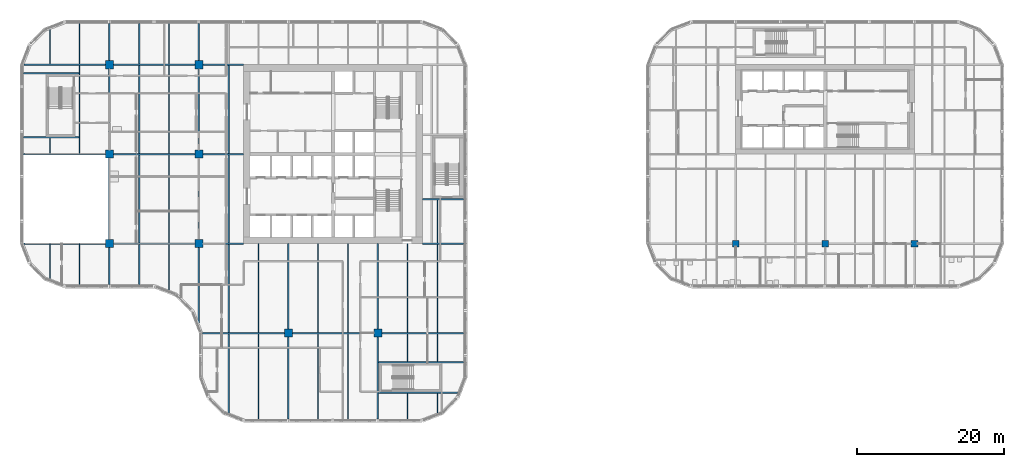
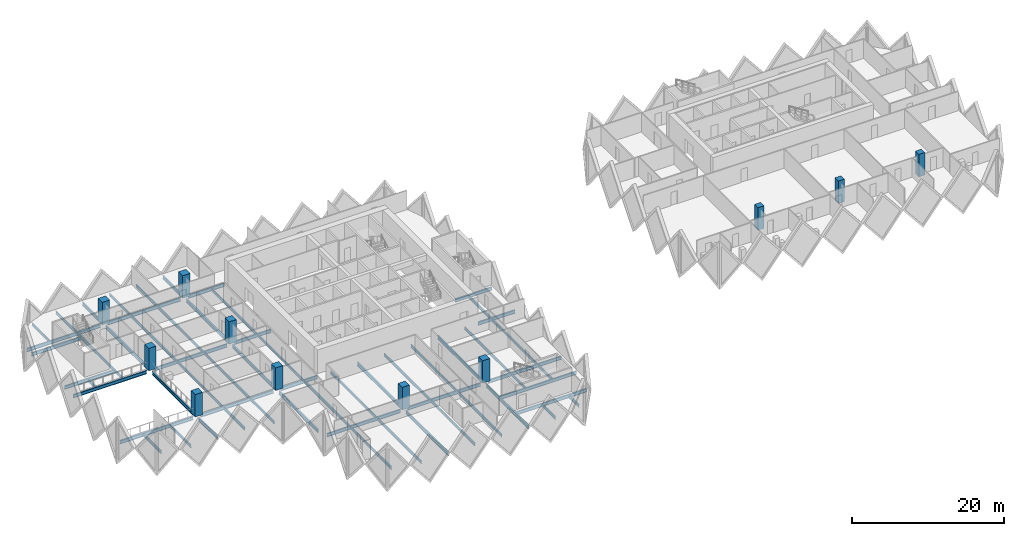
# One storey, part 1 of 20: 61 beams, 11 columns.
"""IFC4 building model written with IfcOpenShell, lengths in metres."""

from ifc_helpers import new_model, si_unit, direction, frame, origin, origin_2d, place, context, subcontext, project, spatial, rectangle, i_section, extrude, material, material_profile, profile_set, type_object, element, save


model = new_model("IFC4")

# Units and contexts
model_context = context("Model", 3, precision=1e-05, world=origin(), true_north=direction((0.0, 1.0)))
body_context = subcontext(model_context, "Body", "Model", "MODEL_VIEW")
ifc_project = project(units=[si_unit("LENGTHUNIT", "METRE"), si_unit("AREAUNIT", "SQUARE_METRE"), si_unit("VOLUMEUNIT", "CUBIC_METRE"), si_unit("PLANEANGLEUNIT", "RADIAN"), si_unit("MASSUNIT", "GRAM", prefix="KILO")], contexts=[model_context])

# Site, building, storey
site_placement = place(None, origin())
site = spatial("IfcSite", under=ifc_project, at=site_placement, CompositionType="ELEMENT")
building_placement = place(site_placement, origin())
building = spatial("IfcBuilding", under=site, at=building_placement, Name="Tessera Gate Towers", CompositionType="ELEMENT")
storey_placement = place(building_placement, frame((0.0, 0.0, 52.39990234375)))
storey = spatial("IfcBuildingStorey", under=building, at=storey_placement, Name="L12", CompositionType="ELEMENT", Elevation=52.39990234375)

# Columns
ifc_material_1 = material(Name="Concrete C70/85", Category="concrete")
ifc_material_profile_1 = material_profile(ifc_material_1, rectangle(XDim=1.10009765625, YDim=1.10009765625, at=origin_2d()), Name="RC 1100x1100")
ifc_profile_set_1 = profile_set([ifc_material_profile_1], Name="Concrete C70/85")
column_type_1 = type_object("IfcColumnType", Name="COLUMN RC 1100x1100", PredefinedType="COLUMN", material=ifc_profile_set_1)
for number, where, z_axis, x_axis, name in (
    (1, (12.199951171875, 24.39990234375, 0.0), (0.0, 0.0, 1.0), (1.0, 0.0, 0.0), "T1-COL-2C-L12"),
    (2, (12.199951171875, 36.60009765625, 0.0), (0.0, 0.0, 1.0), (1.0, 0.0, 0.0), "T1-COL-2D-L12"),
    (3, (12.199951171875, 48.800048828125, 0.0), (0.0, 0.0, 1.0), (1.0, 0.0, 0.0), "T1-COL-2E-L12"),
    (4, (24.39990234375, 24.39990234375, 0.0), (0.0, 0.0, 1.0), (1.0, 0.0, 0.0), "T1-COL-3C-L12"),
    (5, (24.39990234375, 36.60009765625, 0.0), (0.0, 0.0, 1.0), (1.0, 0.0, 0.0), "T1-COL-3D-L12"),
    (6, (24.39990234375, 48.800048828125, 0.0), (0.0, 0.0, 1.0), (1.0, 0.0, 0.0), "T1-COL-3E-L12"),
    (7, (36.60009765625, 12.199951171875, 0.0), (0.0, 0.0, 1.0), (1.0, 0.0, 0.0), "T1-COL-4B-L12"),
    (8, (48.800048828125, 12.199951171875, 0.0), (0.0, 0.0, 1.0), (1.0, 0.0, 0.0), "T1-COL-5B-L12"),
):
    element("IfcColumn", number, at=place(storey_placement, frame(where, z_axis=z_axis, x_axis=x_axis)), inside=storey, type_object=column_type_1, Name=name, PredefinedType="COLUMN", context=body_context, shape_type="SweptSolid", body=[
        extrude(rectangle(XDim=1.10009765625, YDim=1.10009765625, at=origin_2d()), origin(), (0.0, 0.0, 1.0), 3.60009765625),
    ])
ifc_material_2 = material(Name="Concrete C70/85", Category="concrete")
ifc_material_profile_2 = material_profile(ifc_material_2, rectangle(XDim=0.89990234375, YDim=0.89990234375, at=origin_2d()), Name="RC 900x900")
ifc_profile_set_2 = profile_set([ifc_material_profile_2], Name="Concrete C70/85")
column_type_2 = type_object("IfcColumnType", Name="COLUMN RC 900x900", PredefinedType="COLUMN", material=ifc_profile_set_2)
for number, where, z_axis, x_axis, name in (
    (9, (97.60009765625, 24.39990234375, 0.0), (0.0, 0.0, 1.0), (1.0, 0.0, 0.0), "T2-COL-9C-L12"),
    (10, (109.800048828125, 24.39990234375, 0.0), (0.0, 0.0, 1.0), (1.0, 0.0, 0.0), "T2-COL-10C-L12"),
    (11, (122.0, 24.39990234375, 0.0), (0.0, 0.0, 1.0), (1.0, 0.0, 0.0), "T2-COL-11C-L12"),
):
    element("IfcColumn", number, at=place(storey_placement, frame(where, z_axis=z_axis, x_axis=x_axis)), inside=storey, type_object=column_type_2, Name=name, PredefinedType="COLUMN", context=body_context, shape_type="SweptSolid", body=[
        extrude(rectangle(XDim=0.89990234375, YDim=0.89990234375, at=origin_2d()), origin(), (0.0, 0.0, 1.0), 3.60009765625),
    ])

# Beams
ifc_material_3 = material(Name="Steel 350W", Category="steel")
ifc_material_profile_3 = material_profile(ifc_material_3, i_section(OverallWidth=0.208984375, OverallDepth=0.532958984375, WebThickness=0.01025390625, FlangeThickness=0.015625, at=origin_2d()), Name="W530x92")
ifc_profile_set_3 = profile_set([ifc_material_profile_3], Name="Steel 350W")
beam_type_1 = type_object("IfcBeamType", Name="FLOOR GIRDER W530x92", PredefinedType="BEAM", material=ifc_profile_set_3)
beam_1_placement = place(storey_placement, frame((24.89892578125, 12.199951171875, -0.46630859375), z_axis=(1.0, 0.0, 0.0), x_axis=(0.0, 1.0, 0.0)))
element("IfcBeam", 12, at=beam_1_placement, inside=storey, type_object=beam_type_1, Name="T1-GD-L12-1752", PredefinedType="BEAM", context=body_context, shape_type="SweptSolid", body=[
    extrude(i_section(OverallWidth=0.208984375, OverallDepth=0.532958984375, WebThickness=0.01025390625, FlangeThickness=0.015625, at=origin_2d()), origin(), (0.0, 0.0, 1.0), 11.151123046875),
])
beam_2_placement = place(storey_placement, frame((37.14990234375, 12.199951171875, -0.46630859375), z_axis=(1.0, 0.0, 0.0), x_axis=(0.0, 1.0, 0.0)))
element("IfcBeam", 13, at=beam_2_placement, inside=storey, type_object=beam_type_1, Name="T1-GD-L12-1753", PredefinedType="BEAM", context=body_context, shape_type="SweptSolid", body=[
    extrude(i_section(OverallWidth=0.208984375, OverallDepth=0.532958984375, WebThickness=0.01025390625, FlangeThickness=0.015625, at=origin_2d()), origin(), (0.0, 0.0, 1.0), 11.10009765625),
])
beam_3_placement = place(storey_placement, frame((49.35009765625, 12.199951171875, -0.46630859375), z_axis=(1.0, 0.0, 0.0), x_axis=(0.0, 1.0, 0.0)))
element("IfcBeam", 14, at=beam_3_placement, inside=storey, type_object=beam_type_1, Name="T1-GD-L12-1754", PredefinedType="BEAM", context=body_context, shape_type="SweptSolid", body=[
    extrude(i_section(OverallWidth=0.208984375, OverallDepth=0.532958984375, WebThickness=0.01025390625, FlangeThickness=0.015625, at=origin_2d()), origin(), (0.0, 0.0, 1.0), 11.15087890625),
])
beam_4_placement = place(storey_placement, frame((0.534912109375, 24.39990234375, -0.46630859375), z_axis=(1.0, 0.0, 0.0), x_axis=(0.0, 1.0, 0.0)))
element("IfcBeam", 15, at=beam_4_placement, inside=storey, type_object=beam_type_1, Name="T1-GD-L12-1755", PredefinedType="BEAM", context=body_context, shape_type="SweptSolid", body=[
    extrude(i_section(OverallWidth=0.208984375, OverallDepth=0.532958984375, WebThickness=0.01025390625, FlangeThickness=0.015625, at=origin_2d()), origin(), (0.0, 0.0, 1.0), 11.114990234375),
])
beam_5_placement = place(storey_placement, frame((12.75, 24.39990234375, -0.46630859375), z_axis=(1.0, 0.0, 0.0), x_axis=(0.0, 1.0, 0.0)))
element("IfcBeam", 16, at=beam_5_placement, inside=storey, type_object=beam_type_1, Name="T1-GD-L12-1756", PredefinedType="BEAM", context=body_context, shape_type="SweptSolid", body=[
    extrude(i_section(OverallWidth=0.208984375, OverallDepth=0.532958984375, WebThickness=0.01025390625, FlangeThickness=0.015625, at=origin_2d()), origin(), (0.0, 0.0, 1.0), 11.10009765625),
])
beam_6_placement = place(storey_placement, frame((24.949951171875, 24.39990234375, -0.46630859375), z_axis=(1.0, 0.0, 0.0), x_axis=(0.0, 1.0, 0.0)))
element("IfcBeam", 17, at=beam_6_placement, inside=storey, type_object=beam_type_1, Name="T1-GD-L12-1757", PredefinedType="BEAM", context=body_context, shape_type="SweptSolid", body=[
    extrude(i_section(OverallWidth=0.208984375, OverallDepth=0.532958984375, WebThickness=0.01025390625, FlangeThickness=0.015625, at=origin_2d()), origin(), (0.0, 0.0, 1.0), 5.549072265625),
])
beam_7_placement = place(storey_placement, frame((54.90087890625, 24.39990234375, -0.46630859375), z_axis=(1.0, 0.0, 0.0), x_axis=(0.0, 1.0, 0.0)))
element("IfcBeam", 18, at=beam_7_placement, inside=storey, type_object=beam_type_1, Name="T1-GD-L12-1758", PredefinedType="BEAM", context=body_context, shape_type="SweptSolid", body=[
    extrude(i_section(OverallWidth=0.208984375, OverallDepth=0.532958984375, WebThickness=0.01025390625, FlangeThickness=0.015625, at=origin_2d()), origin(), (0.0, 0.0, 1.0), 5.60009765625),
])
beam_8_placement = place(storey_placement, frame((0.4990234375, 36.60009765625, -0.46630859375), z_axis=(1.0, 0.0, 0.0), x_axis=(0.0, 1.0, 0.0)))
element("IfcBeam", 19, at=beam_8_placement, inside=storey, type_object=beam_type_1, Name="T1-GD-L12-1759", PredefinedType="BEAM", context=body_context, shape_type="SweptSolid", body=[
    extrude(i_section(OverallWidth=0.208984375, OverallDepth=0.532958984375, WebThickness=0.01025390625, FlangeThickness=0.015625, at=origin_2d()), origin(), (0.0, 0.0, 1.0), 11.15087890625),
])
beam_9_placement = place(storey_placement, frame((12.75, 36.60009765625, -0.46630859375), z_axis=(1.0, 0.0, 0.0), x_axis=(0.0, 1.0, 0.0)))
element("IfcBeam", 20, at=beam_9_placement, inside=storey, type_object=beam_type_1, Name="T1-GD-L12-1760", PredefinedType="BEAM", context=body_context, shape_type="SweptSolid", body=[
    extrude(i_section(OverallWidth=0.208984375, OverallDepth=0.532958984375, WebThickness=0.01025390625, FlangeThickness=0.015625, at=origin_2d()), origin(), (0.0, 0.0, 1.0), 11.10009765625),
])
beam_10_placement = place(storey_placement, frame((24.949951171875, 36.60009765625, -0.46630859375), z_axis=(1.0, 0.0, 0.0), x_axis=(0.0, 1.0, 0.0)))
element("IfcBeam", 21, at=beam_10_placement, inside=storey, type_object=beam_type_1, Name="T1-GD-L12-1761", PredefinedType="BEAM", context=body_context, shape_type="SweptSolid", body=[
    extrude(i_section(OverallWidth=0.208984375, OverallDepth=0.532958984375, WebThickness=0.01025390625, FlangeThickness=0.015625, at=origin_2d()), origin(), (0.0, 0.0, 1.0), 5.551025390625),
])
beam_11_placement = place(storey_placement, frame((0.534912109375, 48.800048828125, -0.46630859375), z_axis=(1.0, 0.0, 0.0), x_axis=(0.0, 1.0, 0.0)))
element("IfcBeam", 22, at=beam_11_placement, inside=storey, type_object=beam_type_1, Name="T1-GD-L12-1763", PredefinedType="BEAM", context=body_context, shape_type="SweptSolid", body=[
    extrude(i_section(OverallWidth=0.208984375, OverallDepth=0.532958984375, WebThickness=0.01025390625, FlangeThickness=0.015625, at=origin_2d()), origin(), (0.0, 0.0, 1.0), 11.114990234375),
])
beam_12_placement = place(storey_placement, frame((12.75, 48.800048828125, -0.46630859375), z_axis=(1.0, 0.0, 0.0), x_axis=(0.0, 1.0, 0.0)))
element("IfcBeam", 23, at=beam_12_placement, inside=storey, type_object=beam_type_1, Name="T1-GD-L12-1764", PredefinedType="BEAM", context=body_context, shape_type="SweptSolid", body=[
    extrude(i_section(OverallWidth=0.208984375, OverallDepth=0.532958984375, WebThickness=0.01025390625, FlangeThickness=0.015625, at=origin_2d()), origin(), (0.0, 0.0, 1.0), 11.10009765625),
])
beam_13_placement = place(storey_placement, frame((24.949951171875, 48.800048828125, -0.46630859375), z_axis=(1.0, 0.0, 0.0), x_axis=(0.0, 1.0, 0.0)))
element("IfcBeam", 24, at=beam_13_placement, inside=storey, type_object=beam_type_1, Name="T1-GD-L12-1765", PredefinedType="BEAM", context=body_context, shape_type="SweptSolid", body=[
    extrude(i_section(OverallWidth=0.208984375, OverallDepth=0.532958984375, WebThickness=0.01025390625, FlangeThickness=0.015625, at=origin_2d()), origin(), (0.0, 0.0, 1.0), 5.549072265625),
])
beam_14_placement = place(storey_placement, frame((12.199951171875, 18.799072265625, -0.46630859375), z_axis=(0.0, 1.0, 0.0), x_axis=(-1.0, 0.0, 0.0)))
element("IfcBeam", 25, at=beam_14_placement, inside=storey, type_object=beam_type_1, Name="T1-GD-L12-1767", PredefinedType="BEAM", context=body_context, shape_type="SweptSolid", body=[
    extrude(i_section(OverallWidth=0.208984375, OverallDepth=0.532958984375, WebThickness=0.01025390625, FlangeThickness=0.015625, at=origin_2d()), origin(), (0.0, 0.0, 1.0), 5.051025390625),
])
for number, where, z_axis, x_axis, name in (
    (26, (12.199951171875, 24.949951171875, -0.46630859375), (0.0, 1.0, 0.0), (-1.0, 0.0, 0.0), "T1-GD-L12-1768"),
    (27, (12.199951171875, 37.14990234375, -0.46630859375), (0.0, 1.0, 0.0), (-1.0, 0.0, 0.0), "T1-GD-L12-1769"),
):
    element("IfcBeam", number, at=place(storey_placement, frame(where, z_axis=z_axis, x_axis=x_axis)), inside=storey, type_object=beam_type_1, Name=name, PredefinedType="BEAM", context=body_context, shape_type="SweptSolid", body=[
        extrude(i_section(OverallWidth=0.208984375, OverallDepth=0.532958984375, WebThickness=0.01025390625, FlangeThickness=0.015625, at=origin_2d()), origin(), (0.0, 0.0, 1.0), 11.10009765625),
    ])
beam_15_placement = place(storey_placement, frame((12.199951171875, 49.35009765625, -0.46630859375), z_axis=(0.0, 1.0, 0.0), x_axis=(-1.0, 0.0, 0.0)))
element("IfcBeam", 28, at=beam_15_placement, inside=storey, type_object=beam_type_1, Name="T1-GD-L12-1770", PredefinedType="BEAM", context=body_context, shape_type="SweptSolid", body=[
    extrude(i_section(OverallWidth=0.208984375, OverallDepth=0.532958984375, WebThickness=0.01025390625, FlangeThickness=0.015625, at=origin_2d()), origin(), (0.0, 0.0, 1.0), 5.05078125),
])
beam_16_placement = place(storey_placement, frame((24.39990234375, 13.58642578125, -0.46630859375), z_axis=(0.0, 1.0, 0.0), x_axis=(-1.0, 0.0, 0.0)))
element("IfcBeam", 29, at=beam_16_placement, inside=storey, type_object=beam_type_1, Name="T1-GD-L12-1771", PredefinedType="BEAM", context=body_context, shape_type="SweptSolid", body=[
    extrude(i_section(OverallWidth=0.208984375, OverallDepth=0.532958984375, WebThickness=0.01025390625, FlangeThickness=0.015625, at=origin_2d()), origin(), (0.0, 0.0, 1.0), 10.263671875),
])
for number, where, z_axis, x_axis, name in (
    (30, (24.39990234375, 24.949951171875, -0.46630859375), (0.0, 1.0, 0.0), (-1.0, 0.0, 0.0), "T1-GD-L12-1772"),
    (31, (24.39990234375, 37.14990234375, -0.46630859375), (0.0, 1.0, 0.0), (-1.0, 0.0, 0.0), "T1-GD-L12-1773"),
):
    element("IfcBeam", number, at=place(storey_placement, frame(where, z_axis=z_axis, x_axis=x_axis)), inside=storey, type_object=beam_type_1, Name=name, PredefinedType="BEAM", context=body_context, shape_type="SweptSolid", body=[
        extrude(i_section(OverallWidth=0.208984375, OverallDepth=0.532958984375, WebThickness=0.01025390625, FlangeThickness=0.015625, at=origin_2d()), origin(), (0.0, 0.0, 1.0), 11.10009765625),
    ])
beam_17_placement = place(storey_placement, frame((24.39990234375, 49.35009765625, -0.46630859375), z_axis=(0.0, 1.0, 0.0), x_axis=(-1.0, 0.0, 0.0)))
element("IfcBeam", 32, at=beam_17_placement, inside=storey, type_object=beam_type_1, Name="T1-GD-L12-1774", PredefinedType="BEAM", context=body_context, shape_type="SweptSolid", body=[
    extrude(i_section(OverallWidth=0.208984375, OverallDepth=0.532958984375, WebThickness=0.01025390625, FlangeThickness=0.015625, at=origin_2d()), origin(), (0.0, 0.0, 1.0), 5.05078125),
])
beam_18_placement = place(storey_placement, frame((36.60009765625, 0.4990234375, -0.46630859375), z_axis=(0.0, 1.0, 0.0), x_axis=(-1.0, 0.0, 0.0)))
element("IfcBeam", 33, at=beam_18_placement, inside=storey, type_object=beam_type_1, Name="T1-GD-L12-1775", PredefinedType="BEAM", context=body_context, shape_type="SweptSolid", body=[
    extrude(i_section(OverallWidth=0.208984375, OverallDepth=0.532958984375, WebThickness=0.01025390625, FlangeThickness=0.015625, at=origin_2d()), origin(), (0.0, 0.0, 1.0), 11.15087890625),
])
beam_19_placement = place(storey_placement, frame((36.60009765625, 12.75, -0.46630859375), z_axis=(0.0, 1.0, 0.0), x_axis=(-1.0, 0.0, 0.0)))
element("IfcBeam", 34, at=beam_19_placement, inside=storey, type_object=beam_type_1, Name="T1-GD-L12-1776", PredefinedType="BEAM", context=body_context, shape_type="SweptSolid", body=[
    extrude(i_section(OverallWidth=0.208984375, OverallDepth=0.532958984375, WebThickness=0.01025390625, FlangeThickness=0.015625, at=origin_2d()), origin(), (0.0, 0.0, 1.0), 11.64990234375),
])
beam_20_placement = place(storey_placement, frame((48.800048828125, 0.4990234375, -0.46630859375), z_axis=(0.0, 1.0, 0.0), x_axis=(-1.0, 0.0, 0.0)))
element("IfcBeam", 35, at=beam_20_placement, inside=storey, type_object=beam_type_1, Name="T1-GD-L12-1777", PredefinedType="BEAM", context=body_context, shape_type="SweptSolid", body=[
    extrude(i_section(OverallWidth=0.208984375, OverallDepth=0.532958984375, WebThickness=0.01025390625, FlangeThickness=0.015625, at=origin_2d()), origin(), (0.0, 0.0, 1.0), 11.15087890625),
])
beam_21_placement = place(storey_placement, frame((48.800048828125, 12.75, -0.46630859375), z_axis=(0.0, 1.0, 0.0), x_axis=(-1.0, 0.0, 0.0)))
element("IfcBeam", 36, at=beam_21_placement, inside=storey, type_object=beam_type_1, Name="T1-GD-L12-1778", PredefinedType="BEAM", context=body_context, shape_type="SweptSolid", body=[
    extrude(i_section(OverallWidth=0.208984375, OverallDepth=0.532958984375, WebThickness=0.01025390625, FlangeThickness=0.015625, at=origin_2d()), origin(), (0.0, 0.0, 1.0), 11.64990234375),
])
for number, where, z_axis, x_axis, name in (
    (37, (0.4990234375, 38.8798828125, -0.46630859375), (1.0, 0.0, 0.0), (0.0, 1.0, 0.0), "T1-GD-L12-1779"),
    (38, (0.4990234375, 47.6201171875, -0.46630859375), (1.0, 0.0, 0.0), (0.0, 1.0, 0.0), "T1-GD-L12-1780"),
):
    element("IfcBeam", number, at=place(storey_placement, frame(where, z_axis=z_axis, x_axis=x_axis)), inside=storey, type_object=beam_type_1, Name=name, PredefinedType="BEAM", context=body_context, shape_type="SweptSolid", body=[
        extrude(i_section(OverallWidth=0.208984375, OverallDepth=0.532958984375, WebThickness=0.01025390625, FlangeThickness=0.015625, at=origin_2d()), origin(), (0.0, 0.0, 1.0), 7.557861328125),
    ])
beam_22_placement = place(storey_placement, frame((48.87646484375, 4.080078125, -0.46630859375), z_axis=(1.0, 0.0, 0.0), x_axis=(0.0, 1.0, 0.0)))
element("IfcBeam", 39, at=beam_22_placement, inside=storey, type_object=beam_type_1, Name="T1-GD-L12-1781", PredefinedType="BEAM", context=body_context, shape_type="SweptSolid", body=[
    extrude(i_section(OverallWidth=0.208984375, OverallDepth=0.532958984375, WebThickness=0.01025390625, FlangeThickness=0.015625, at=origin_2d()), origin(), (0.0, 0.0, 1.0), 10.809326171875),
])
beam_23_placement = place(storey_placement, frame((48.87646484375, 8.219970703125, -0.46630859375), z_axis=(1.0, 0.0, 0.0), x_axis=(0.0, 1.0, 0.0)))
element("IfcBeam", 40, at=beam_23_placement, inside=storey, type_object=beam_type_1, Name="T1-GD-L12-1782", PredefinedType="BEAM", context=body_context, shape_type="SweptSolid", body=[
    extrude(i_section(OverallWidth=0.208984375, OverallDepth=0.532958984375, WebThickness=0.01025390625, FlangeThickness=0.015625, at=origin_2d()), origin(), (0.0, 0.0, 1.0), 11.62451171875),
])
beam_24_placement = place(storey_placement, frame((54.89892578125, 30.47998046875, -0.46630859375), z_axis=(1.0, 0.0, 0.0), x_axis=(0.0, 1.0, 0.0)))
element("IfcBeam", 41, at=beam_24_placement, inside=storey, type_object=beam_type_1, Name="T1-GD-L12-1783", PredefinedType="BEAM", context=body_context, shape_type="SweptSolid", body=[
    extrude(i_section(OverallWidth=0.208984375, OverallDepth=0.532958984375, WebThickness=0.01025390625, FlangeThickness=0.015625, at=origin_2d()), origin(), (0.0, 0.0, 1.0), 5.60205078125),
])
ifc_material_4 = material(Name="Steel 350W", Category="steel")
ifc_material_profile_4 = material_profile(ifc_material_4, i_section(OverallWidth=0.153076171875, OverallDepth=0.455078125, WebThickness=0.008056640625, FlangeThickness=0.01318359375, at=origin_2d()), Name="W460x60")
ifc_profile_set_4 = profile_set([ifc_material_profile_4], Name="Steel 350W")
beam_type_2 = type_object("IfcBeamType", Name="FLOOR SECONDARY W460x60", PredefinedType="BEAM", material=ifc_profile_set_4)
beam_25_placement = place(storey_placement, frame((4.066650390625, 19.620361328125, -0.427490234375), z_axis=(0.0, 1.0, 0.0), x_axis=(-1.0, 0.0, 0.0)))
element("IfcBeam", 42, at=beam_25_placement, inside=storey, type_object=beam_type_2, Name="T1-BM-L12-1786", PredefinedType="BEAM", context=body_context, shape_type="SweptSolid", body=[
    extrude(i_section(OverallWidth=0.153076171875, OverallDepth=0.455078125, WebThickness=0.008056640625, FlangeThickness=0.01318359375, at=origin_2d()), origin(), (0.0, 0.0, 1.0), 4.779541015625),
])
beam_26_placement = place(storey_placement, frame((4.066650390625, 36.70458984375, -0.427490234375), z_axis=(0.0, 1.0, 0.0), x_axis=(-1.0, 0.0, 0.0)))
element("IfcBeam", 43, at=beam_26_placement, inside=storey, type_object=beam_type_2, Name="T1-BM-L12-1787", PredefinedType="BEAM", context=body_context, shape_type="SweptSolid", body=[
    extrude(i_section(OverallWidth=0.153076171875, OverallDepth=0.455078125, WebThickness=0.008056640625, FlangeThickness=0.01318359375, at=origin_2d()), origin(), (0.0, 0.0, 1.0), 2.07080078125),
])
beam_27_placement = place(storey_placement, frame((4.066650390625, 48.904541015625, -0.427490234375), z_axis=(0.0, 1.0, 0.0), x_axis=(-1.0, 0.0, 0.0)))
element("IfcBeam", 44, at=beam_27_placement, inside=storey, type_object=beam_type_2, Name="T1-BM-L12-1788", PredefinedType="BEAM", context=body_context, shape_type="SweptSolid", body=[
    extrude(i_section(OverallWidth=0.153076171875, OverallDepth=0.455078125, WebThickness=0.008056640625, FlangeThickness=0.01318359375, at=origin_2d()), origin(), (0.0, 0.0, 1.0), 4.675048828125),
])
beam_28_placement = place(storey_placement, frame((8.13330078125, 18.800048828125, -0.427490234375), z_axis=(0.0, 1.0, 0.0), x_axis=(-1.0, 0.0, 0.0)))
element("IfcBeam", 45, at=beam_28_placement, inside=storey, type_object=beam_type_2, Name="T1-BM-L12-1789", PredefinedType="BEAM", context=body_context, shape_type="SweptSolid", body=[
    extrude(i_section(OverallWidth=0.153076171875, OverallDepth=0.455078125, WebThickness=0.008056640625, FlangeThickness=0.01318359375, at=origin_2d()), origin(), (0.0, 0.0, 1.0), 5.599853515625),
])
beam_29_placement = place(storey_placement, frame((8.13330078125, 36.70458984375, -0.427490234375), z_axis=(0.0, 1.0, 0.0), x_axis=(-1.0, 0.0, 0.0)))
element("IfcBeam", 46, at=beam_29_placement, inside=storey, type_object=beam_type_2, Name="T1-BM-L12-1790", PredefinedType="BEAM", context=body_context, shape_type="SweptSolid", body=[
    extrude(i_section(OverallWidth=0.153076171875, OverallDepth=0.455078125, WebThickness=0.008056640625, FlangeThickness=0.01318359375, at=origin_2d()), origin(), (0.0, 0.0, 1.0), 11.990966796875),
])
for number, where, z_axis, x_axis, name in (
    (47, (8.13330078125, 48.904541015625, -0.427490234375), (0.0, 1.0, 0.0), (-1.0, 0.0, 0.0), "T1-BM-L12-1791"),
    (48, (16.2666015625, 18.800048828125, -0.427490234375), (0.0, 1.0, 0.0), (-1.0, 0.0, 0.0), "T1-BM-L12-1792"),
):
    element("IfcBeam", number, at=place(storey_placement, frame(where, z_axis=z_axis, x_axis=x_axis)), inside=storey, type_object=beam_type_2, Name=name, PredefinedType="BEAM", context=body_context, shape_type="SweptSolid", body=[
        extrude(i_section(OverallWidth=0.153076171875, OverallDepth=0.455078125, WebThickness=0.008056640625, FlangeThickness=0.01318359375, at=origin_2d()), origin(), (0.0, 0.0, 1.0), 5.495361328125),
    ])
beam_30_placement = place(storey_placement, frame((16.2666015625, 24.50439453125, -0.427490234375), z_axis=(0.0, 1.0, 0.0), x_axis=(-1.0, 0.0, 0.0)))
element("IfcBeam", 49, at=beam_30_placement, inside=storey, type_object=beam_type_2, Name="T1-BM-L12-1793", PredefinedType="BEAM", context=body_context, shape_type="SweptSolid", body=[
    extrude(i_section(OverallWidth=0.153076171875, OverallDepth=0.455078125, WebThickness=0.008056640625, FlangeThickness=0.01318359375, at=origin_2d()), origin(), (0.0, 0.0, 1.0), 11.9912109375),
])
beam_31_placement = place(storey_placement, frame((16.2666015625, 36.70458984375, -0.427490234375), z_axis=(0.0, 1.0, 0.0), x_axis=(-1.0, 0.0, 0.0)))
element("IfcBeam", 50, at=beam_31_placement, inside=storey, type_object=beam_type_2, Name="T1-BM-L12-1794", PredefinedType="BEAM", context=body_context, shape_type="SweptSolid", body=[
    extrude(i_section(OverallWidth=0.153076171875, OverallDepth=0.455078125, WebThickness=0.008056640625, FlangeThickness=0.01318359375, at=origin_2d()), origin(), (0.0, 0.0, 1.0), 11.990966796875),
])
beam_32_placement = place(storey_placement, frame((16.2666015625, 48.904541015625, -0.427490234375), z_axis=(0.0, 1.0, 0.0), x_axis=(-1.0, 0.0, 0.0)))
element("IfcBeam", 51, at=beam_32_placement, inside=storey, type_object=beam_type_2, Name="T1-BM-L12-1795", PredefinedType="BEAM", context=body_context, shape_type="SweptSolid", body=[
    extrude(i_section(OverallWidth=0.153076171875, OverallDepth=0.455078125, WebThickness=0.008056640625, FlangeThickness=0.01318359375, at=origin_2d()), origin(), (0.0, 0.0, 1.0), 5.495361328125),
])
beam_33_placement = place(storey_placement, frame((20.333251953125, 18.051513671875, -0.427490234375), z_axis=(0.0, 1.0, 0.0), x_axis=(-1.0, 0.0, 0.0)))
element("IfcBeam", 52, at=beam_33_placement, inside=storey, type_object=beam_type_2, Name="T1-BM-L12-1796", PredefinedType="BEAM", context=body_context, shape_type="SweptSolid", body=[
    extrude(i_section(OverallWidth=0.153076171875, OverallDepth=0.455078125, WebThickness=0.008056640625, FlangeThickness=0.01318359375, at=origin_2d()), origin(), (0.0, 0.0, 1.0), 6.243896484375),
])
beam_34_placement = place(storey_placement, frame((20.333251953125, 24.50439453125, -0.427490234375), z_axis=(0.0, 1.0, 0.0), x_axis=(-1.0, 0.0, 0.0)))
element("IfcBeam", 53, at=beam_34_placement, inside=storey, type_object=beam_type_2, Name="T1-BM-L12-1797", PredefinedType="BEAM", context=body_context, shape_type="SweptSolid", body=[
    extrude(i_section(OverallWidth=0.153076171875, OverallDepth=0.455078125, WebThickness=0.008056640625, FlangeThickness=0.01318359375, at=origin_2d()), origin(), (0.0, 0.0, 1.0), 11.9912109375),
])
beam_35_placement = place(storey_placement, frame((20.333251953125, 36.70458984375, -0.427490234375), z_axis=(0.0, 1.0, 0.0), x_axis=(-1.0, 0.0, 0.0)))
element("IfcBeam", 54, at=beam_35_placement, inside=storey, type_object=beam_type_2, Name="T1-BM-L12-1798", PredefinedType="BEAM", context=body_context, shape_type="SweptSolid", body=[
    extrude(i_section(OverallWidth=0.153076171875, OverallDepth=0.455078125, WebThickness=0.008056640625, FlangeThickness=0.01318359375, at=origin_2d()), origin(), (0.0, 0.0, 1.0), 11.990966796875),
])
beam_36_placement = place(storey_placement, frame((20.333251953125, 48.904541015625, -0.427490234375), z_axis=(0.0, 1.0, 0.0), x_axis=(-1.0, 0.0, 0.0)))
element("IfcBeam", 55, at=beam_36_placement, inside=storey, type_object=beam_type_2, Name="T1-BM-L12-1799", PredefinedType="BEAM", context=body_context, shape_type="SweptSolid", body=[
    extrude(i_section(OverallWidth=0.153076171875, OverallDepth=0.455078125, WebThickness=0.008056640625, FlangeThickness=0.01318359375, at=origin_2d()), origin(), (0.0, 0.0, 1.0), 5.495361328125),
])
beam_37_placement = place(storey_placement, frame((28.466796875, 1.3203125, -0.427490234375), z_axis=(0.0, 1.0, 0.0), x_axis=(-1.0, 0.0, 0.0)))
element("IfcBeam", 56, at=beam_37_placement, inside=storey, type_object=beam_type_2, Name="T1-BM-L12-1800", PredefinedType="BEAM", context=body_context, shape_type="SweptSolid", body=[
    extrude(i_section(OverallWidth=0.153076171875, OverallDepth=0.455078125, WebThickness=0.008056640625, FlangeThickness=0.01318359375, at=origin_2d()), origin(), (0.0, 0.0, 1.0), 10.775146484375),
])
beam_38_placement = place(storey_placement, frame((28.466796875, 12.304443359375, -0.427490234375), z_axis=(0.0, 1.0, 0.0), x_axis=(-1.0, 0.0, 0.0)))
element("IfcBeam", 57, at=beam_38_placement, inside=storey, type_object=beam_type_2, Name="T1-BM-L12-1801", PredefinedType="BEAM", context=body_context, shape_type="SweptSolid", body=[
    extrude(i_section(OverallWidth=0.153076171875, OverallDepth=0.455078125, WebThickness=0.008056640625, FlangeThickness=0.01318359375, at=origin_2d()), origin(), (0.0, 0.0, 1.0), 11.990966796875),
])
beam_39_placement = place(storey_placement, frame((28.466796875, 24.50439453125, -0.427490234375), z_axis=(0.0, 1.0, 0.0), x_axis=(-1.0, 0.0, 0.0)))
element("IfcBeam", 58, at=beam_39_placement, inside=storey, type_object=beam_type_2, Name="T1-BM-L12-1802", PredefinedType="BEAM", context=body_context, shape_type="SweptSolid", body=[
    extrude(i_section(OverallWidth=0.153076171875, OverallDepth=0.455078125, WebThickness=0.008056640625, FlangeThickness=0.01318359375, at=origin_2d()), origin(), (0.0, 0.0, 1.0), 11.9912109375),
])
beam_40_placement = place(storey_placement, frame((28.466796875, 36.70458984375, -0.427490234375), z_axis=(0.0, 1.0, 0.0), x_axis=(-1.0, 0.0, 0.0)))
element("IfcBeam", 59, at=beam_40_placement, inside=storey, type_object=beam_type_2, Name="T1-BM-L12-1803", PredefinedType="BEAM", context=body_context, shape_type="SweptSolid", body=[
    extrude(i_section(OverallWidth=0.153076171875, OverallDepth=0.455078125, WebThickness=0.008056640625, FlangeThickness=0.01318359375, at=origin_2d()), origin(), (0.0, 0.0, 1.0), 11.990966796875),
])
beam_41_placement = place(storey_placement, frame((32.533203125, 0.5, -0.427490234375), z_axis=(0.0, 1.0, 0.0), x_axis=(-1.0, 0.0, 0.0)))
element("IfcBeam", 60, at=beam_41_placement, inside=storey, type_object=beam_type_2, Name="T1-BM-L12-1805", PredefinedType="BEAM", context=body_context, shape_type="SweptSolid", body=[
    extrude(i_section(OverallWidth=0.153076171875, OverallDepth=0.455078125, WebThickness=0.008056640625, FlangeThickness=0.01318359375, at=origin_2d()), origin(), (0.0, 0.0, 1.0), 11.595458984375),
])
beam_42_placement = place(storey_placement, frame((32.533203125, 12.304443359375, -0.427490234375), z_axis=(0.0, 1.0, 0.0), x_axis=(-1.0, 0.0, 0.0)))
element("IfcBeam", 61, at=beam_42_placement, inside=storey, type_object=beam_type_2, Name="T1-BM-L12-1806", PredefinedType="BEAM", context=body_context, shape_type="SweptSolid", body=[
    extrude(i_section(OverallWidth=0.153076171875, OverallDepth=0.455078125, WebThickness=0.008056640625, FlangeThickness=0.01318359375, at=origin_2d()), origin(), (0.0, 0.0, 1.0), 12.095458984375),
])
beam_43_placement = place(storey_placement, frame((40.666748046875, 0.5, -0.427490234375), z_axis=(0.0, 1.0, 0.0), x_axis=(-1.0, 0.0, 0.0)))
element("IfcBeam", 62, at=beam_43_placement, inside=storey, type_object=beam_type_2, Name="T1-BM-L12-1809", PredefinedType="BEAM", context=body_context, shape_type="SweptSolid", body=[
    extrude(i_section(OverallWidth=0.153076171875, OverallDepth=0.455078125, WebThickness=0.008056640625, FlangeThickness=0.01318359375, at=origin_2d()), origin(), (0.0, 0.0, 1.0), 11.595458984375),
])
beam_44_placement = place(storey_placement, frame((40.666748046875, 12.304443359375, -0.427490234375), z_axis=(0.0, 1.0, 0.0), x_axis=(-1.0, 0.0, 0.0)))
element("IfcBeam", 63, at=beam_44_placement, inside=storey, type_object=beam_type_2, Name="T1-BM-L12-1810", PredefinedType="BEAM", context=body_context, shape_type="SweptSolid", body=[
    extrude(i_section(OverallWidth=0.153076171875, OverallDepth=0.455078125, WebThickness=0.008056640625, FlangeThickness=0.01318359375, at=origin_2d()), origin(), (0.0, 0.0, 1.0), 12.095458984375),
])
beam_45_placement = place(storey_placement, frame((44.7333984375, 0.5, -0.427490234375), z_axis=(0.0, 1.0, 0.0), x_axis=(-1.0, 0.0, 0.0)))
element("IfcBeam", 64, at=beam_45_placement, inside=storey, type_object=beam_type_2, Name="T1-BM-L12-1812", PredefinedType="BEAM", context=body_context, shape_type="SweptSolid", body=[
    extrude(i_section(OverallWidth=0.153076171875, OverallDepth=0.455078125, WebThickness=0.008056640625, FlangeThickness=0.01318359375, at=origin_2d()), origin(), (0.0, 0.0, 1.0), 11.595458984375),
])
beam_46_placement = place(storey_placement, frame((44.7333984375, 12.304443359375, -0.427490234375), z_axis=(0.0, 1.0, 0.0), x_axis=(-1.0, 0.0, 0.0)))
element("IfcBeam", 65, at=beam_46_placement, inside=storey, type_object=beam_type_2, Name="T1-BM-L12-1813", PredefinedType="BEAM", context=body_context, shape_type="SweptSolid", body=[
    extrude(i_section(OverallWidth=0.153076171875, OverallDepth=0.455078125, WebThickness=0.008056640625, FlangeThickness=0.01318359375, at=origin_2d()), origin(), (0.0, 0.0, 1.0), 12.095458984375),
])
beam_47_placement = place(storey_placement, frame((52.86669921875, 0.5, -0.427490234375), z_axis=(0.0, 1.0, 0.0), x_axis=(-1.0, 0.0, 0.0)))
element("IfcBeam", 66, at=beam_47_placement, inside=storey, type_object=beam_type_2, Name="T1-BM-L12-1816", PredefinedType="BEAM", context=body_context, shape_type="SweptSolid", body=[
    extrude(i_section(OverallWidth=0.153076171875, OverallDepth=0.455078125, WebThickness=0.008056640625, FlangeThickness=0.01318359375, at=origin_2d()), origin(), (0.0, 0.0, 1.0), 3.4755859375),
])
beam_48_placement = place(storey_placement, frame((52.86669921875, 8.324462890625, -0.427490234375), z_axis=(0.0, 1.0, 0.0), x_axis=(-1.0, 0.0, 0.0)))
element("IfcBeam", 67, at=beam_48_placement, inside=storey, type_object=beam_type_2, Name="T1-BM-L12-1817", PredefinedType="BEAM", context=body_context, shape_type="SweptSolid", body=[
    extrude(i_section(OverallWidth=0.153076171875, OverallDepth=0.455078125, WebThickness=0.008056640625, FlangeThickness=0.01318359375, at=origin_2d()), origin(), (0.0, 0.0, 1.0), 3.77099609375),
])
beam_49_placement = place(storey_placement, frame((52.86669921875, 12.304443359375, -0.427490234375), z_axis=(0.0, 1.0, 0.0), x_axis=(-1.0, 0.0, 0.0)))
element("IfcBeam", 68, at=beam_49_placement, inside=storey, type_object=beam_type_2, Name="T1-BM-L12-1818", PredefinedType="BEAM", context=body_context, shape_type="SweptSolid", body=[
    extrude(i_section(OverallWidth=0.153076171875, OverallDepth=0.455078125, WebThickness=0.008056640625, FlangeThickness=0.01318359375, at=origin_2d()), origin(), (0.0, 0.0, 1.0), 12.095458984375),
])
beam_50_placement = place(storey_placement, frame((56.933349609375, 1.3203125, -0.427490234375), z_axis=(0.0, 1.0, 0.0), x_axis=(-1.0, 0.0, 0.0)))
element("IfcBeam", 69, at=beam_50_placement, inside=storey, type_object=beam_type_2, Name="T1-BM-L12-1820", PredefinedType="BEAM", context=body_context, shape_type="SweptSolid", body=[
    extrude(i_section(OverallWidth=0.153076171875, OverallDepth=0.455078125, WebThickness=0.008056640625, FlangeThickness=0.01318359375, at=origin_2d()), origin(), (0.0, 0.0, 1.0), 2.6552734375),
])
beam_51_placement = place(storey_placement, frame((56.933349609375, 8.324462890625, -0.427490234375), z_axis=(0.0, 1.0, 0.0), x_axis=(-1.0, 0.0, 0.0)))
element("IfcBeam", 70, at=beam_51_placement, inside=storey, type_object=beam_type_2, Name="T1-BM-L12-1821", PredefinedType="BEAM", context=body_context, shape_type="SweptSolid", body=[
    extrude(i_section(OverallWidth=0.153076171875, OverallDepth=0.455078125, WebThickness=0.008056640625, FlangeThickness=0.01318359375, at=origin_2d()), origin(), (0.0, 0.0, 1.0), 3.77099609375),
])
beam_52_placement = place(storey_placement, frame((56.933349609375, 12.304443359375, -0.427490234375), z_axis=(0.0, 1.0, 0.0), x_axis=(-1.0, 0.0, 0.0)))
element("IfcBeam", 71, at=beam_52_placement, inside=storey, type_object=beam_type_2, Name="T1-BM-L12-1822", PredefinedType="BEAM", context=body_context, shape_type="SweptSolid", body=[
    extrude(i_section(OverallWidth=0.153076171875, OverallDepth=0.455078125, WebThickness=0.008056640625, FlangeThickness=0.01318359375, at=origin_2d()), origin(), (0.0, 0.0, 1.0), 11.990966796875),
])
beam_53_placement = place(storey_placement, frame((56.933349609375, 24.50439453125, -0.427490234375), z_axis=(0.0, 1.0, 0.0), x_axis=(-1.0, 0.0, 0.0)))
element("IfcBeam", 72, at=beam_53_placement, inside=storey, type_object=beam_type_2, Name="T1-BM-L12-1823", PredefinedType="BEAM", context=body_context, shape_type="SweptSolid", body=[
    extrude(i_section(OverallWidth=0.153076171875, OverallDepth=0.455078125, WebThickness=0.008056640625, FlangeThickness=0.01318359375, at=origin_2d()), origin(), (0.0, 0.0, 1.0), 5.87109375),
])

save(model, "model.ifc")
